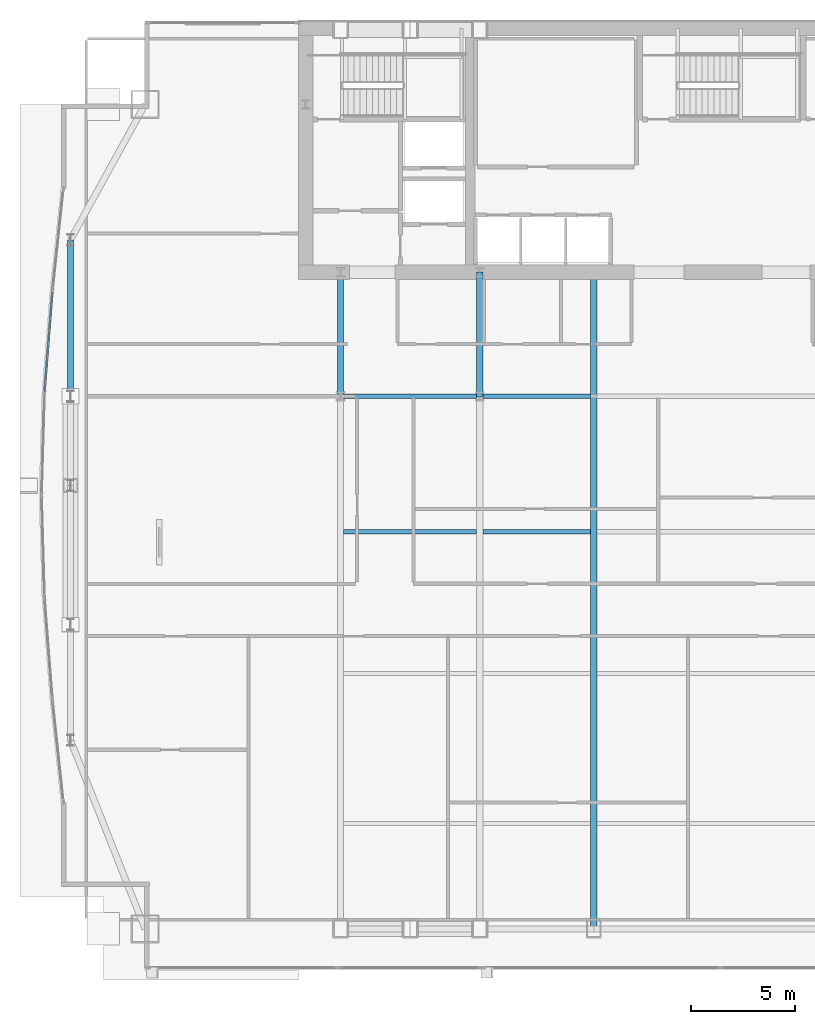
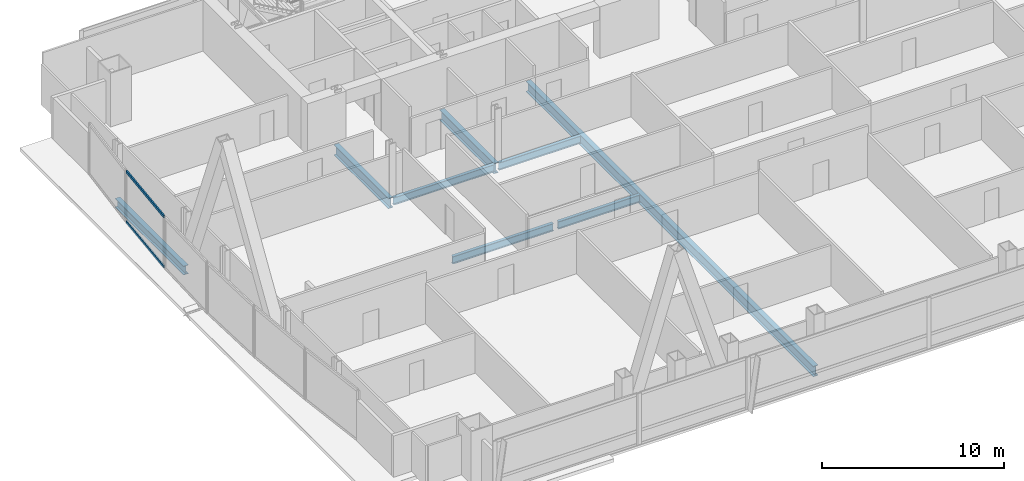
# One storey, part 11 of 30: 8 beams, 2 members, 1 element without a shape of its own.
"""IFC4 building model written with IfcOpenShell, lengths in metres."""

from ifc_helpers import new_model, si_unit, direction, frame, origin, origin_2d, place, context, subcontext, project, spatial, hollow_rectangle, i_section, extrude, material, material_profile, profile_set, type_object, element, aggregate, save


model = new_model("IFC4")

# Units and contexts
model_context = context("Model", 3, precision=1e-05, world=origin(), true_north=direction((0.0, 1.0)))
body_context = subcontext(model_context, "Body", "Model", "MODEL_VIEW")
ifc_project = project(units=[si_unit("LENGTHUNIT", "METRE"), si_unit("AREAUNIT", "SQUARE_METRE"), si_unit("VOLUMEUNIT", "CUBIC_METRE"), si_unit("PLANEANGLEUNIT", "RADIAN"), si_unit("MASSUNIT", "GRAM", prefix="KILO")], contexts=[model_context])

# Site, building, storey
site_placement = place(None, origin())
site = spatial("IfcSite", under=ifc_project, at=site_placement, CompositionType="ELEMENT")
building_placement = place(site_placement, origin())
building = spatial("IfcBuilding", under=site, at=building_placement, Name="Khoronbel Lancet Exchange", CompositionType="ELEMENT")
storey_placement = place(building_placement, frame((0.0, 0.0, 136.199951171875)))
storey = spatial("IfcBuildingStorey", under=building, at=storey_placement, Name="L33", CompositionType="ELEMENT", Elevation=136.199951171875)

# Beams
ifc_material_1 = material(Name="Steel S355", Category="steel")
ifc_material_profile_1 = material_profile(ifc_material_1, i_section(OverallWidth=0.300048828125, OverallDepth=0.699951171875, WebThickness=0.01708984375, FlangeThickness=0.031982421875, at=origin_2d()), Name="HEB 700")
ifc_profile_set_1 = profile_set([ifc_material_profile_1], Name="Steel S355")
beam_type_1 = type_object("IfcBeamType", Name="BM-BG3", PredefinedType="BEAM", material=ifc_profile_set_1)
for number, where, z_axis, x_axis, name in (
    (1, (18.22509765625, 35.699951171875, -0.510009765625), (0.0, 1.0, 0.0), (-1.0, 0.0, 0.0), "Level L33 spine tie girder GN1"),
    (2, (24.89990234375, 35.699951171875, -0.510009765625), (0.0, 1.0, 0.0), (-1.0, 0.0, 0.0), "Level L33 spine tie girder GN2"),
):
    element("IfcBeam", number, at=place(storey_placement, frame(where, z_axis=z_axis, x_axis=x_axis)), inside=storey, type_object=beam_type_1, Name=name, PredefinedType="BEAM", context=body_context, shape_type="SweptSolid", body=[
        extrude(i_section(OverallWidth=0.300048828125, OverallDepth=0.699951171875, WebThickness=0.01708984375, FlangeThickness=0.031982421875, at=origin_2d()), origin(), (0.0, 0.0, 1.0), 5.949951171875),
    ])
beam_1_placement = place(storey_placement, frame((30.375, 10.14990234375, -0.510009765625), z_axis=(0.0, 1.0, 0.0), x_axis=(-1.0, 0.0, 0.0)))
element("IfcBeam", 3, at=beam_1_placement, inside=storey, type_object=beam_type_1, Name="Level L33 primary floor girder G3", PredefinedType="BEAM", context=body_context, shape_type="SweptSolid", body=[
    extrude(i_section(OverallWidth=0.300048828125, OverallDepth=0.699951171875, WebThickness=0.01708984375, FlangeThickness=0.031982421875, at=origin_2d()), origin(), (0.0, 0.0, 1.0), 31.5),
])
ifc_material_profile_2 = material_profile(ifc_material_1, i_section(OverallWidth=0.199951171875, OverallDepth=0.5, WebThickness=0.01025390625, FlangeThickness=0.01611328125, at=origin_2d()), Name="IPE 500")
ifc_profile_set_2 = profile_set([ifc_material_profile_2], Name="Steel S355")
beam_type_2 = type_object("IfcBeamType", Name="BM-BJ3", PredefinedType="JOIST", material=ifc_profile_set_2)
beam_2_placement = place(storey_placement, frame((18.375, 29.199951171875, -0.409912109375), z_axis=(1.0, 0.0, 0.0), x_axis=(0.0, 1.0, 0.0)))
element("IfcBeam", 4, at=beam_2_placement, inside=storey, type_object=beam_type_2, Name="Level L33 secondary composite joist J11", PredefinedType="JOIST", context=body_context, shape_type="SweptSolid", body=[
    extrude(i_section(OverallWidth=0.199951171875, OverallDepth=0.5, WebThickness=0.01025390625, FlangeThickness=0.01611328125, at=origin_2d()), origin(), (0.0, 0.0, 1.0), 6.375),
])
beam_3_placement = place(storey_placement, frame((25.050048828125, 29.199951171875, -0.409912109375), z_axis=(1.0, 0.0, 0.0), x_axis=(0.0, 1.0, 0.0)))
element("IfcBeam", 5, at=beam_3_placement, inside=storey, type_object=beam_type_2, Name="Level L33 secondary composite joist J12", PredefinedType="JOIST", context=body_context, shape_type="SweptSolid", body=[
    extrude(i_section(OverallWidth=0.199951171875, OverallDepth=0.5, WebThickness=0.01025390625, FlangeThickness=0.01611328125, at=origin_2d()), origin(), (0.0, 0.0, 1.0), 5.175048828125),
])
beam_4_placement = place(storey_placement, frame((18.375, 35.699951171875, -0.409912109375), z_axis=(1.0, 0.0, 0.0), x_axis=(0.0, 1.0, 0.0)))
element("IfcBeam", 6, at=beam_4_placement, inside=storey, type_object=beam_type_2, Name="Level L33 secondary composite joist J16", PredefinedType="JOIST", context=body_context, shape_type="SweptSolid", body=[
    extrude(i_section(OverallWidth=0.199951171875, OverallDepth=0.5, WebThickness=0.01025390625, FlangeThickness=0.01611328125, at=origin_2d()), origin(), (0.0, 0.0, 1.0), 6.375),
])
beam_5_placement = place(storey_placement, frame((25.050048828125, 35.699951171875, -0.409912109375), z_axis=(1.0, 0.0, 0.0), x_axis=(0.0, 1.0, 0.0)))
element("IfcBeam", 7, at=beam_5_placement, inside=storey, type_object=beam_type_2, Name="Level L33 secondary composite joist J17", PredefinedType="JOIST", context=body_context, shape_type="SweptSolid", body=[
    extrude(i_section(OverallWidth=0.199951171875, OverallDepth=0.5, WebThickness=0.01025390625, FlangeThickness=0.01611328125, at=origin_2d()), origin(), (0.0, 0.0, 1.0), 5.175048828125),
])
ifc_material_profile_3 = material_profile(ifc_material_1, i_section(OverallWidth=0.300048828125, OverallDepth=0.60009765625, WebThickness=0.015380859375, FlangeThickness=0.030029296875, at=origin_2d()), Name="HEB 600")
ifc_profile_set_3 = profile_set([ifc_material_profile_3], Name="Steel S355")
beam_type_3 = type_object("IfcBeamType", Name="BM-BSP2", PredefinedType="SPANDREL", material=ifc_profile_set_3)
beam_6_placement = place(storey_placement, frame((5.27001953125, 43.199951171875, -0.4599609375), z_axis=(0.0, -1.0, 0.0), x_axis=(1.0, 0.0, 0.0)))
element("IfcBeam", 8, at=beam_6_placement, inside=storey, type_object=beam_type_3, Name="Level L33 perimeter spandrel beam SP15", PredefinedType="SPANDREL", context=body_context, shape_type="SweptSolid", body=[
    extrude(i_section(OverallWidth=0.300048828125, OverallDepth=0.60009765625, WebThickness=0.015380859375, FlangeThickness=0.030029296875, at=origin_2d()), origin(), (0.0, 0.0, 1.0), 7.5),
])

# Curtain wall, members
ifc_material_2 = material(Name="Low-E Solar Control Insulating Glass", Category="glass")
curtain_wall_type = type_object("IfcCurtainWallType", Name="CW-4", PredefinedType="NOTDEFINED", material=ifc_material_2)
curtain_wall_placement = place(storey_placement, origin())
curtain_wall = element("IfcCurtainWall", 9, at=curtain_wall_placement, inside=storey, type_object=curtain_wall_type, Name="Unitised curtain wall CW-L33-E08", PredefinedType="NOTDEFINED")
ifc_material_3 = material(Name="Bronze-Anodised Aluminium 6063-T6", Category="aluminium")
ifc_material_profile_4 = material_profile(ifc_material_3, hollow_rectangle(XDim=0.0849609375, YDim=0.179931640625, WallThickness=0.0048828125, at=origin_2d()), Name="ALU TRANSOM 85x180")
ifc_profile_set_4 = profile_set([ifc_material_profile_4], Name="Bronze-Anodised Aluminium 6063-T6")
member_type = type_object("IfcMemberType", Name="MEM-CWT1", PredefinedType="USERDEFINED", material=ifc_profile_set_4)
member_1_placement = place(storey_placement, frame((4.036376953125, 35.936767578125, 0.04248046875), z_axis=(0.077923377074, 0.996959350879, 0.0), x_axis=(-0.996959350879, 0.077923377074, 0.0)))
member_1 = element("IfcMember", 10, at=member_1_placement, type_object=member_type, Name="CW4 transom 1.1", ObjectType="TRANSOM", PredefinedType="USERDEFINED", context=body_context, shape_type="SweptSolid", body=[
    extrude(hollow_rectangle(XDim=0.0849609375, YDim=0.179931640625, WallThickness=0.0048828125, at=origin_2d()), origin(), (0.0, 0.0, 1.0), 4.778076171875),
])
member_2_placement = place(storey_placement, frame((4.036376953125, 35.936767578125, 3.3974609375), z_axis=(0.077923377074, 0.996959350879, 0.0), x_axis=(-0.996959350879, 0.077923377074, 0.0)))
member_2 = element("IfcMember", 11, at=member_2_placement, type_object=member_type, Name="CW4 transom 1.2", ObjectType="TRANSOM", PredefinedType="USERDEFINED", context=body_context, shape_type="SweptSolid", body=[
    extrude(hollow_rectangle(XDim=0.0849609375, YDim=0.179931640625, WallThickness=0.0048828125, at=origin_2d()), origin(), (0.0, 0.0, 1.0), 4.778076171875),
])
aggregate(curtain_wall, [member_1, member_2])

save(model, "model.ifc")
